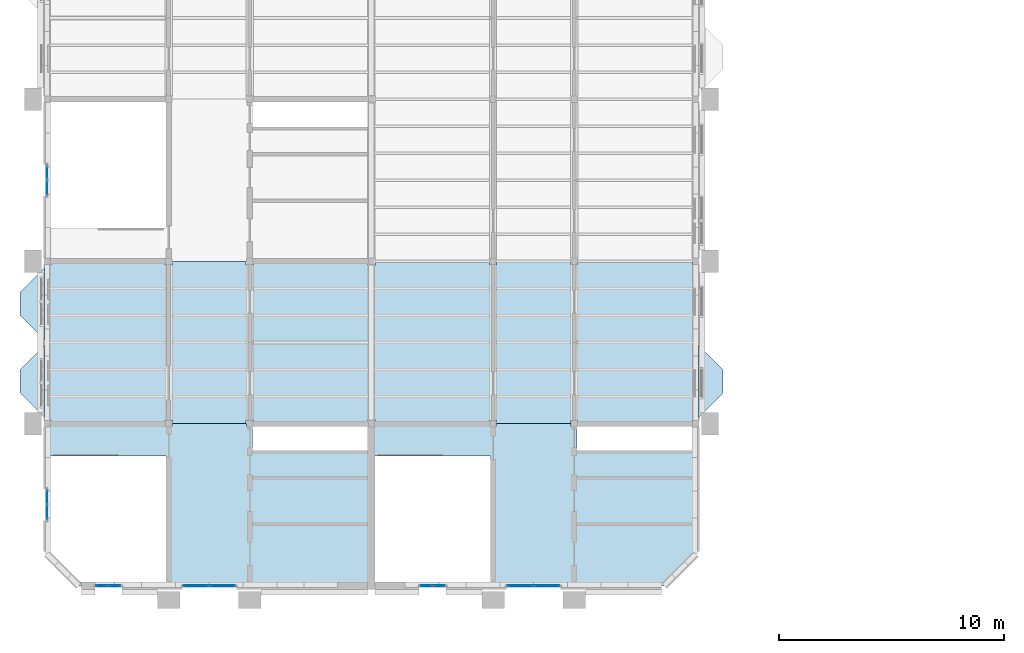
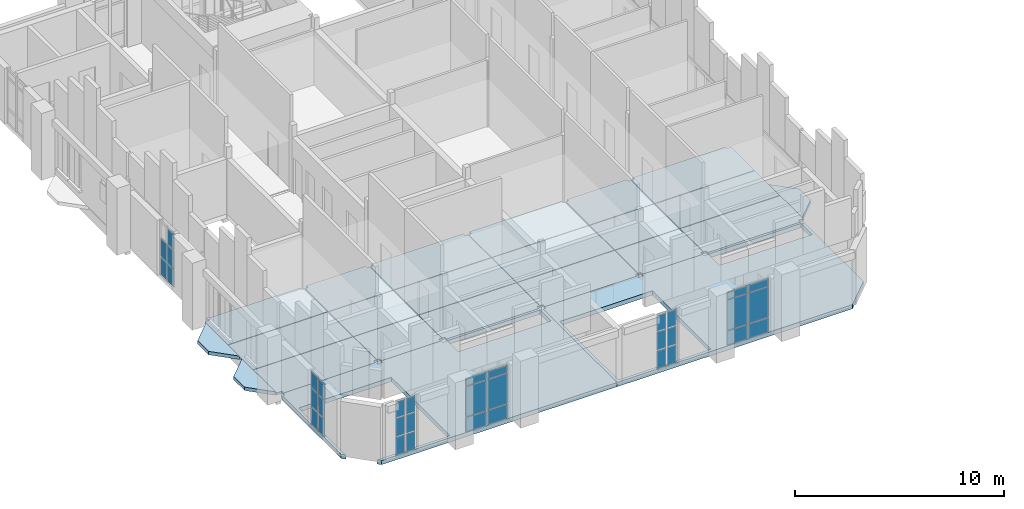
# One storey, part 20 of 51: 35 plates, 23 slabs, 6 elements without a shape of their own.
"""IFC4 building model written with IfcOpenShell, lengths in metres."""

from ifc_helpers import new_model, si_unit, direction, frame, origin, origin_2d, place, context, subcontext, project, spatial, polyline, rectangle, outline, extrude, material, layer, layer_set, type_object, element, aggregate, save


model = new_model("IFC4")

# Units and contexts
model_context = context("Model", 3, precision=1e-05, world=origin(), true_north=direction((0.0, 1.0)))
body_context = subcontext(model_context, "Body", "Model", "MODEL_VIEW")
ifc_project = project(units=[si_unit("LENGTHUNIT", "METRE"), si_unit("AREAUNIT", "SQUARE_METRE"), si_unit("VOLUMEUNIT", "CUBIC_METRE"), si_unit("PLANEANGLEUNIT", "RADIAN"), si_unit("MASSUNIT", "GRAM", prefix="KILO")], contexts=[model_context])

# Site, building, storey
site_placement = place(None, origin())
site = spatial("IfcSite", under=ifc_project, at=site_placement, CompositionType="ELEMENT")
building_placement = place(site_placement, origin())
building = spatial("IfcBuilding", under=site, at=building_placement, Name="Mazhai Court Health Centre", CompositionType="ELEMENT")
storey_placement = place(building_placement, frame((0.0, 0.0, 14.10009765625)))
storey = spatial("IfcBuildingStorey", under=building, at=storey_placement, Name="L03", CompositionType="ELEMENT", Elevation=14.10009765625)

# Slabs
ifc_material_1 = material(Name="CLT C24 5-ply", Category="wood")
ifc_layer_1 = layer(ifc_material_1, 0.1201171875)
ifc_layer_set_1 = layer_set([ifc_layer_1], Name="CLT C24 5-ply 120 floor panel")
slab_type_1 = type_object("IfcSlabType", Name="CLT C24 5-ply 120 floor panel", PredefinedType="FLOOR", material=ifc_layer_set_1)
slab_1_placement = place(storey_placement, frame((0.0, 0.0, -0.1201171875)))
element("IfcSlab", 1, at=slab_1_placement, inside=storey, type_object=slab_type_1, Name="slab-V2-L03-b1-A0", PredefinedType="FLOOR", context=body_context, shape_type="SweptSolid", body=[
    extrude(outline(polyline([(6.080078125, 15.7900390625), (6.080078125, 13.570068359375), (6.3701171875, 13.570068359375), (6.3701171875, 13.39990234375), (11.429931640625, 13.39990234375), (11.429931640625, 13.570068359375), (11.590087890625, 13.570068359375), (11.590087890625, 15.7900390625), (6.080078125, 15.7900390625)])), origin(), (0.0, 0.0, 1.0), 0.1201171875),
])
slab_2_placement = place(storey_placement, frame((0.0, 0.0, -0.1201171875)))
element("IfcSlab", 2, at=slab_2_placement, inside=storey, type_object=slab_type_1, Name="slab-V2-L03-b1-A1", PredefinedType="FLOOR", context=body_context, shape_type="SweptSolid", body=[
    extrude(outline(polyline([(6.080078125, 15.81005859375), (11.590087890625, 15.81005859375), (11.590087890625, 18.18994140625), (6.080078125, 18.18994140625), (6.080078125, 15.81005859375)])), origin(), (0.0, 0.0, 1.0), 0.1201171875),
])
slab_3_placement = place(storey_placement, frame((0.0, 0.0, -0.1201171875)))
element("IfcSlab", 3, at=slab_3_placement, inside=storey, type_object=slab_type_1, Name="slab-V2-L03-b1-A2", PredefinedType="FLOOR", context=body_context, shape_type="SweptSolid", body=[
    extrude(outline(polyline([(11.590087890625, 18.2099609375), (11.590087890625, 20.429931640625), (11.429931640625, 20.429931640625), (11.429931640625, 20.60009765625), (6.3701171875, 20.60009765625), (6.3701171875, 20.429931640625), (6.080078125, 20.429931640625), (6.080078125, 18.2099609375), (11.590087890625, 18.2099609375)])), origin(), (0.0, 0.0, 1.0), 0.1201171875),
])
slab_4_placement = place(storey_placement, frame((0.0, 0.0, -0.1201171875)))
element("IfcSlab", 4, at=slab_4_placement, inside=storey, type_object=slab_type_1, Name="slab-V2-L03-b1-C0", PredefinedType="FLOOR", context=body_context, shape_type="SweptSolid", body=[
    extrude(outline(polyline([(11.610107421875, 15.7900390625), (11.610107421875, 13.570068359375), (11.77001953125, 13.570068359375), (11.77001953125, 13.39990234375), (15.030029296875, 13.39990234375), (15.030029296875, 13.570068359375), (15.18994140625, 13.570068359375), (15.18994140625, 15.7900390625), (11.610107421875, 15.7900390625)])), origin(), (0.0, 0.0, 1.0), 0.1201171875),
])
slab_5_placement = place(storey_placement, frame((0.0, 0.0, -0.1201171875)))
element("IfcSlab", 5, at=slab_5_placement, inside=storey, type_object=slab_type_1, Name="slab-V2-L03-b1-C1", PredefinedType="FLOOR", context=body_context, shape_type="SweptSolid", body=[
    extrude(outline(polyline([(11.610107421875, 15.81005859375), (15.18994140625, 15.81005859375), (15.18994140625, 18.18994140625), (11.610107421875, 18.18994140625), (11.610107421875, 15.81005859375)])), origin(), (0.0, 0.0, 1.0), 0.1201171875),
])
slab_6_placement = place(storey_placement, frame((0.0, 0.0, -0.1201171875)))
element("IfcSlab", 6, at=slab_6_placement, inside=storey, type_object=slab_type_1, Name="slab-V2-L03-b1-C2", PredefinedType="FLOOR", context=body_context, shape_type="SweptSolid", body=[
    extrude(outline(polyline([(15.18994140625, 18.2099609375), (15.18994140625, 20.429931640625), (15.030029296875, 20.429931640625), (15.030029296875, 20.60009765625), (11.77001953125, 20.60009765625), (11.77001953125, 20.429931640625), (11.610107421875, 20.429931640625), (11.610107421875, 18.2099609375), (15.18994140625, 18.2099609375)])), origin(), (0.0, 0.0, 1.0), 0.1201171875),
])
slab_7_placement = place(storey_placement, frame((0.0, 0.0, -0.1201171875)))
element("IfcSlab", 7, at=slab_7_placement, inside=storey, type_object=slab_type_1, Name="slab-V2-L03-b1-B0", PredefinedType="FLOOR", context=body_context, shape_type="SweptSolid", body=[
    extrude(outline(polyline([(15.2099609375, 15.7900390625), (15.2099609375, 13.570068359375), (15.3701171875, 13.570068359375), (15.3701171875, 13.39990234375), (20.429931640625, 13.39990234375), (20.429931640625, 13.570068359375), (20.590087890625, 13.570068359375), (20.590087890625, 15.7900390625), (15.2099609375, 15.7900390625)])), origin(), (0.0, 0.0, 1.0), 0.1201171875),
])
slab_8_placement = place(storey_placement, frame((0.0, 0.0, -0.1201171875)))
element("IfcSlab", 8, at=slab_8_placement, inside=storey, type_object=slab_type_1, Name="slab-V2-L03-b1-B1", PredefinedType="FLOOR", context=body_context, shape_type="SweptSolid", body=[
    extrude(outline(polyline([(15.2099609375, 15.81005859375), (20.590087890625, 15.81005859375), (20.590087890625, 18.18994140625), (15.2099609375, 18.18994140625), (15.2099609375, 15.81005859375)])), origin(), (0.0, 0.0, 1.0), 0.1201171875),
])
slab_9_placement = place(storey_placement, frame((0.0, 0.0, -0.1201171875)))
element("IfcSlab", 9, at=slab_9_placement, inside=storey, type_object=slab_type_1, Name="slab-V2-L03-b1-B2", PredefinedType="FLOOR", context=body_context, shape_type="SweptSolid", body=[
    extrude(outline(polyline([(20.590087890625, 18.2099609375), (20.590087890625, 20.429931640625), (20.429931640625, 20.429931640625), (20.429931640625, 20.60009765625), (15.3701171875, 20.60009765625), (15.3701171875, 20.429931640625), (15.2099609375, 20.429931640625), (15.2099609375, 18.2099609375), (20.590087890625, 18.2099609375)])), origin(), (0.0, 0.0, 1.0), 0.1201171875),
])
slab_10_placement = place(storey_placement, frame((0.0, 0.0, -0.1201171875)))
element("IfcSlab", 10, at=slab_10_placement, inside=storey, type_object=slab_type_1, Name="slab-V5-L03-b1-A0", PredefinedType="FLOOR", context=body_context, shape_type="SweptSolid", body=[
    extrude(outline(polyline([(20.610107421875, 15.7900390625), (20.610107421875, 13.570068359375), (20.77001953125, 13.570068359375), (20.77001953125, 13.39990234375), (25.85009765625, 13.39990234375), (25.85009765625, 13.550048828125), (25.989990234375, 13.550048828125), (25.989990234375, 15.7900390625), (20.610107421875, 15.7900390625)])), origin(), (0.0, 0.0, 1.0), 0.1201171875),
])
slab_11_placement = place(storey_placement, frame((0.0, 0.0, -0.1201171875)))
element("IfcSlab", 11, at=slab_11_placement, inside=storey, type_object=slab_type_1, Name="slab-V5-L03-b1-A1", PredefinedType="FLOOR", context=body_context, shape_type="SweptSolid", body=[
    extrude(outline(polyline([(20.610107421875, 15.81005859375), (25.989990234375, 15.81005859375), (25.989990234375, 18.18994140625), (20.610107421875, 18.18994140625), (20.610107421875, 15.81005859375)])), origin(), (0.0, 0.0, 1.0), 0.1201171875),
])
slab_12_placement = place(storey_placement, frame((0.0, 0.0, -0.1201171875)))
element("IfcSlab", 12, at=slab_12_placement, inside=storey, type_object=slab_type_1, Name="slab-V5-L03-b1-A2", PredefinedType="FLOOR", context=body_context, shape_type="SweptSolid", body=[
    extrude(outline(polyline([(25.989990234375, 18.2099609375), (25.989990234375, 20.449951171875), (25.85009765625, 20.449951171875), (25.85009765625, 20.60009765625), (20.77001953125, 20.60009765625), (20.77001953125, 20.429931640625), (20.610107421875, 20.429931640625), (20.610107421875, 18.2099609375), (25.989990234375, 18.2099609375)])), origin(), (0.0, 0.0, 1.0), 0.1201171875),
])
slab_13_placement = place(storey_placement, frame((0.0, 0.0, -0.1201171875)))
element("IfcSlab", 13, at=slab_13_placement, inside=storey, type_object=slab_type_1, Name="slab-V5-L03-b1-C0", PredefinedType="FLOOR", context=body_context, shape_type="SweptSolid", body=[
    extrude(outline(polyline([(26.010009765625, 15.7900390625), (26.010009765625, 13.550048828125), (26.14990234375, 13.550048828125), (26.14990234375, 13.39990234375), (29.449951171875, 13.39990234375), (29.449951171875, 13.550048828125), (29.590087890625, 13.550048828125), (29.590087890625, 15.7900390625), (26.010009765625, 15.7900390625)])), origin(), (0.0, 0.0, 1.0), 0.1201171875),
])
slab_14_placement = place(storey_placement, frame((0.0, 0.0, -0.1201171875)))
element("IfcSlab", 14, at=slab_14_placement, inside=storey, type_object=slab_type_1, Name="slab-V5-L03-b1-C1", PredefinedType="FLOOR", context=body_context, shape_type="SweptSolid", body=[
    extrude(outline(polyline([(26.010009765625, 15.81005859375), (29.590087890625, 15.81005859375), (29.590087890625, 18.18994140625), (26.010009765625, 18.18994140625), (26.010009765625, 15.81005859375)])), origin(), (0.0, 0.0, 1.0), 0.1201171875),
])
slab_15_placement = place(storey_placement, frame((0.0, 0.0, -0.1201171875)))
element("IfcSlab", 15, at=slab_15_placement, inside=storey, type_object=slab_type_1, Name="slab-V5-L03-b1-C2", PredefinedType="FLOOR", context=body_context, shape_type="SweptSolid", body=[
    extrude(outline(polyline([(29.590087890625, 18.2099609375), (29.590087890625, 20.449951171875), (29.449951171875, 20.449951171875), (29.449951171875, 20.60009765625), (26.14990234375, 20.60009765625), (26.14990234375, 20.449951171875), (26.010009765625, 20.449951171875), (26.010009765625, 18.2099609375), (29.590087890625, 18.2099609375)])), origin(), (0.0, 0.0, 1.0), 0.1201171875),
])
slab_16_placement = place(storey_placement, frame((0.0, 0.0, -0.1201171875)))
element("IfcSlab", 16, at=slab_16_placement, inside=storey, type_object=slab_type_1, Name="slab-V5-L03-b1-B0", PredefinedType="FLOOR", context=body_context, shape_type="SweptSolid", body=[
    extrude(outline(polyline([(29.610107421875, 15.7900390625), (29.610107421875, 13.550048828125), (29.75, 13.550048828125), (29.75, 13.39990234375), (34.85009765625, 13.39990234375), (34.85009765625, 13.550048828125), (35.1201171875, 13.550048828125), (35.1201171875, 15.7900390625), (29.610107421875, 15.7900390625)])), origin(), (0.0, 0.0, 1.0), 0.1201171875),
])
slab_17_placement = place(storey_placement, frame((0.0, 0.0, -0.1201171875)))
element("IfcSlab", 17, at=slab_17_placement, inside=storey, type_object=slab_type_1, Name="slab-V5-L03-b1-B1", PredefinedType="FLOOR", context=body_context, shape_type="SweptSolid", body=[
    extrude(outline(polyline([(29.610107421875, 15.81005859375), (35.1201171875, 15.81005859375), (35.1201171875, 18.18994140625), (29.610107421875, 18.18994140625), (29.610107421875, 15.81005859375)])), origin(), (0.0, 0.0, 1.0), 0.1201171875),
])
slab_18_placement = place(storey_placement, frame((0.0, 0.0, -0.1201171875)))
element("IfcSlab", 18, at=slab_18_placement, inside=storey, type_object=slab_type_1, Name="slab-V5-L03-b1-B2", PredefinedType="FLOOR", context=body_context, shape_type="SweptSolid", body=[
    extrude(outline(polyline([(35.1201171875, 18.2099609375), (35.1201171875, 20.449951171875), (34.85009765625, 20.449951171875), (34.85009765625, 20.60009765625), (29.75, 20.60009765625), (29.75, 20.449951171875), (29.610107421875, 20.449951171875), (29.610107421875, 18.2099609375), (35.1201171875, 18.2099609375)])), origin(), (0.0, 0.0, 1.0), 0.1201171875),
])

# Curtain wall, plates
ifc_material_2 = material(Name="Teak timber frame, glazed", Category="wood")
ifc_layer_2 = layer(ifc_material_2, 0.10009765625)
ifc_layer_set_2 = layer_set([ifc_layer_2], Name="CURTAIN WALL TIMBER 600")
curtain_wall_type_1 = type_object("IfcCurtainWallType", Name="CURTAIN WALL TIMBER 600", PredefinedType="NOTDEFINED", material=ifc_layer_set_2)
curtain_wall_1_placement = place(storey_placement, origin())
curtain_wall_1 = element("IfcCurtainWall", 19, at=curtain_wall_1_placement, inside=storey, type_object=curtain_wall_type_1, Name="CW-V2-L03-A0", PredefinedType="NOTDEFINED")
ifc_material_3 = material(Name="Glass IGU 28 mm", Category="glass")
ifc_layer_3 = layer(ifc_material_3, 0.028076171875)
ifc_layer_set_3 = layer_set([ifc_layer_3], Name="CW PANEL IGU 28")
plate_type = type_object("IfcPlateType", Name="CW PANEL IGU 28", PredefinedType="CURTAIN_PANEL", material=ifc_layer_set_3)
plate_1_placement = place(storey_placement, frame((6.199951171875, 9.465087890625, 0.06005859375), z_axis=(0.0, 0.0, 1.0), x_axis=(0.0, 1.0, 0.0)))
plate_1 = element("IfcPlate", 20, at=plate_1_placement, type_object=plate_type, Name="CW panel 1.1", PredefinedType="CURTAIN_PANEL", context=body_context, shape_type="SweptSolid", body=[
    extrude(rectangle(XDim=0.610107421875, YDim=0.028076171875, at=origin_2d()), origin(), (0.0, 0.0, 1.0), 1.010009765625),
])
plate_2_placement = place(storey_placement, frame((6.199951171875, 9.465087890625, 1.1298828125), z_axis=(0.0, 0.0, 1.0), x_axis=(0.0, 1.0, 0.0)))
plate_2 = element("IfcPlate", 21, at=plate_2_placement, type_object=plate_type, Name="CW panel 1.2", PredefinedType="CURTAIN_PANEL", context=body_context, shape_type="SweptSolid", body=[
    extrude(rectangle(XDim=0.610107421875, YDim=0.028076171875, at=origin_2d()), origin(), (0.0, 0.0, 1.0), 1.0400390625),
])
plate_3_placement = place(storey_placement, frame((6.199951171875, 9.465087890625, 2.22998046875), z_axis=(0.0, 0.0, 1.0), x_axis=(0.0, 1.0, 0.0)))
plate_3 = element("IfcPlate", 22, at=plate_3_placement, type_object=plate_type, Name="CW panel 1.3", PredefinedType="CURTAIN_PANEL", context=body_context, shape_type="SweptSolid", body=[
    extrude(rectangle(XDim=0.610107421875, YDim=0.028076171875, at=origin_2d()), origin(), (0.0, 0.0, 1.0), 0.909912109375),
])
plate_4_placement = place(storey_placement, frame((6.199951171875, 10.135009765625, 0.06005859375), z_axis=(0.0, 0.0, 1.0), x_axis=(0.0, 1.0, 0.0)))
plate_4 = element("IfcPlate", 23, at=plate_4_placement, type_object=plate_type, Name="CW panel 2.1", PredefinedType="CURTAIN_PANEL", context=body_context, shape_type="SweptSolid", body=[
    extrude(rectangle(XDim=0.610107421875, YDim=0.028076171875, at=origin_2d()), origin(), (0.0, 0.0, 1.0), 1.010009765625),
])
plate_5_placement = place(storey_placement, frame((6.199951171875, 10.135009765625, 1.1298828125), z_axis=(0.0, 0.0, 1.0), x_axis=(0.0, 1.0, 0.0)))
plate_5 = element("IfcPlate", 24, at=plate_5_placement, type_object=plate_type, Name="CW panel 2.2", PredefinedType="CURTAIN_PANEL", context=body_context, shape_type="SweptSolid", body=[
    extrude(rectangle(XDim=0.610107421875, YDim=0.028076171875, at=origin_2d()), origin(), (0.0, 0.0, 1.0), 1.0400390625),
])
plate_6_placement = place(storey_placement, frame((6.199951171875, 10.135009765625, 2.22998046875), z_axis=(0.0, 0.0, 1.0), x_axis=(0.0, 1.0, 0.0)))
plate_6 = element("IfcPlate", 25, at=plate_6_placement, type_object=plate_type, Name="CW panel 2.3", PredefinedType="CURTAIN_PANEL", context=body_context, shape_type="SweptSolid", body=[
    extrude(rectangle(XDim=0.610107421875, YDim=0.028076171875, at=origin_2d()), origin(), (0.0, 0.0, 1.0), 0.909912109375),
])
aggregate(curtain_wall_1, [plate_1, plate_2, plate_3, plate_4, plate_5, plate_6])

curtain_wall_2_placement = place(storey_placement, origin())
curtain_wall_2 = element("IfcCurtainWall", 26, at=curtain_wall_2_placement, inside=storey, type_object=curtain_wall_type_1, Name="CW-V2-L03-A2", PredefinedType="NOTDEFINED")
plate_7_placement = place(storey_placement, frame((6.199951171875, 23.864990234375, 0.06005859375), z_axis=(0.0, 0.0, 1.0), x_axis=(0.0, 1.0, 0.0)))
plate_7 = element("IfcPlate", 27, at=plate_7_placement, type_object=plate_type, Name="CW panel 1.1", PredefinedType="CURTAIN_PANEL", context=body_context, shape_type="SweptSolid", body=[
    extrude(rectangle(XDim=0.610107421875, YDim=0.028076171875, at=origin_2d()), origin(), (0.0, 0.0, 1.0), 1.010009765625),
])
plate_8_placement = place(storey_placement, frame((6.199951171875, 23.864990234375, 1.1298828125), z_axis=(0.0, 0.0, 1.0), x_axis=(0.0, 1.0, 0.0)))
plate_8 = element("IfcPlate", 28, at=plate_8_placement, type_object=plate_type, Name="CW panel 1.2", PredefinedType="CURTAIN_PANEL", context=body_context, shape_type="SweptSolid", body=[
    extrude(rectangle(XDim=0.610107421875, YDim=0.028076171875, at=origin_2d()), origin(), (0.0, 0.0, 1.0), 1.0400390625),
])
plate_9_placement = place(storey_placement, frame((6.199951171875, 23.864990234375, 2.22998046875), z_axis=(0.0, 0.0, 1.0), x_axis=(0.0, 1.0, 0.0)))
plate_9 = element("IfcPlate", 29, at=plate_9_placement, type_object=plate_type, Name="CW panel 1.3", PredefinedType="CURTAIN_PANEL", context=body_context, shape_type="SweptSolid", body=[
    extrude(rectangle(XDim=0.610107421875, YDim=0.028076171875, at=origin_2d()), origin(), (0.0, 0.0, 1.0), 0.909912109375),
])
plate_10_placement = place(storey_placement, frame((6.199951171875, 24.534912109375, 0.06005859375), z_axis=(0.0, 0.0, 1.0), x_axis=(0.0, 1.0, 0.0)))
plate_10 = element("IfcPlate", 30, at=plate_10_placement, type_object=plate_type, Name="CW panel 2.1", PredefinedType="CURTAIN_PANEL", context=body_context, shape_type="SweptSolid", body=[
    extrude(rectangle(XDim=0.610107421875, YDim=0.028076171875, at=origin_2d()), origin(), (0.0, 0.0, 1.0), 1.010009765625),
])
plate_11_placement = place(storey_placement, frame((6.199951171875, 24.534912109375, 1.1298828125), z_axis=(0.0, 0.0, 1.0), x_axis=(0.0, 1.0, 0.0)))
plate_11 = element("IfcPlate", 31, at=plate_11_placement, type_object=plate_type, Name="CW panel 2.2", PredefinedType="CURTAIN_PANEL", context=body_context, shape_type="SweptSolid", body=[
    extrude(rectangle(XDim=0.610107421875, YDim=0.028076171875, at=origin_2d()), origin(), (0.0, 0.0, 1.0), 1.0400390625),
])
aggregate(curtain_wall_2, [plate_7, plate_8, plate_9, plate_10, plate_11])

curtain_wall_3_placement = place(storey_placement, origin())
curtain_wall_3 = element("IfcCurtainWall", 32, at=curtain_wall_3_placement, inside=storey, type_object=curtain_wall_type_1, Name="CW-V2-L03-SSTAIR0", PredefinedType="NOTDEFINED")
plate_12_placement = place(storey_placement, frame((9.205078125, 6.199951171875, 0.06005859375), z_axis=(0.0, 0.0, 1.0), x_axis=(-1.0, 0.0, 0.0)))
plate_12 = element("IfcPlate", 33, at=plate_12_placement, type_object=plate_type, Name="CW panel 1.1", PredefinedType="CURTAIN_PANEL", context=body_context, shape_type="SweptSolid", body=[
    extrude(rectangle(XDim=0.510009765625, YDim=0.028076171875, at=origin_2d()), origin(), (0.0, 0.0, 1.0), 1.010009765625),
])
plate_13_placement = place(storey_placement, frame((9.205078125, 6.199951171875, 1.1298828125), z_axis=(0.0, 0.0, 1.0), x_axis=(-1.0, 0.0, 0.0)))
plate_13 = element("IfcPlate", 34, at=plate_13_placement, type_object=plate_type, Name="CW panel 1.2", PredefinedType="CURTAIN_PANEL", context=body_context, shape_type="SweptSolid", body=[
    extrude(rectangle(XDim=0.510009765625, YDim=0.028076171875, at=origin_2d()), origin(), (0.0, 0.0, 1.0), 1.0400390625),
])
plate_14_placement = place(storey_placement, frame((9.205078125, 6.199951171875, 2.22998046875), z_axis=(0.0, 0.0, 1.0), x_axis=(-1.0, 0.0, 0.0)))
plate_14 = element("IfcPlate", 35, at=plate_14_placement, type_object=plate_type, Name="CW panel 1.3", PredefinedType="CURTAIN_PANEL", context=body_context, shape_type="SweptSolid", body=[
    extrude(rectangle(XDim=0.510009765625, YDim=0.028076171875, at=origin_2d()), origin(), (0.0, 0.0, 1.0), 0.909912109375),
])
plate_15_placement = place(storey_placement, frame((8.635009765625, 6.199951171875, 0.06005859375), z_axis=(0.0, 0.0, 1.0), x_axis=(-1.0, 0.0, 0.0)))
plate_15 = element("IfcPlate", 36, at=plate_15_placement, type_object=plate_type, Name="CW panel 2.1", PredefinedType="CURTAIN_PANEL", context=body_context, shape_type="SweptSolid", body=[
    extrude(rectangle(XDim=0.510009765625, YDim=0.028076171875, at=origin_2d()), origin(), (0.0, 0.0, 1.0), 1.010009765625),
])
plate_16_placement = place(storey_placement, frame((8.635009765625, 6.199951171875, 1.1298828125), z_axis=(0.0, 0.0, 1.0), x_axis=(-1.0, 0.0, 0.0)))
plate_16 = element("IfcPlate", 37, at=plate_16_placement, type_object=plate_type, Name="CW panel 2.2", PredefinedType="CURTAIN_PANEL", context=body_context, shape_type="SweptSolid", body=[
    extrude(rectangle(XDim=0.510009765625, YDim=0.028076171875, at=origin_2d()), origin(), (0.0, 0.0, 1.0), 1.0400390625),
])
plate_17_placement = place(storey_placement, frame((8.635009765625, 6.199951171875, 2.22998046875), z_axis=(0.0, 0.0, 1.0), x_axis=(-1.0, 0.0, 0.0)))
plate_17 = element("IfcPlate", 38, at=plate_17_placement, type_object=plate_type, Name="CW panel 2.3", PredefinedType="CURTAIN_PANEL", context=body_context, shape_type="SweptSolid", body=[
    extrude(rectangle(XDim=0.510009765625, YDim=0.028076171875, at=origin_2d()), origin(), (0.0, 0.0, 1.0), 0.909912109375),
])
aggregate(curtain_wall_3, [plate_12, plate_13, plate_14, plate_15, plate_16, plate_17])

ifc_material_4 = material(Name="Teak timber frame, glazed", Category="wood")
ifc_layer_4 = layer(ifc_material_4, 0.10009765625)
ifc_layer_set_4 = layer_set([ifc_layer_4], Name="CURTAIN WALL TIMBER 1200")
curtain_wall_type_2 = type_object("IfcCurtainWallType", Name="CURTAIN WALL TIMBER 1200", PredefinedType="NOTDEFINED", material=ifc_layer_set_4)
curtain_wall_4_placement = place(storey_placement, origin())
curtain_wall_4 = element("IfcCurtainWall", 39, at=curtain_wall_4_placement, inside=storey, type_object=curtain_wall_type_2, Name="CW-V2-L03-SEND1", PredefinedType="NOTDEFINED")
plate_18_placement = place(storey_placement, frame((13.985107421875, 6.199951171875, 0.059814453125), z_axis=(0.0, 0.0, 1.0), x_axis=(-1.0, 0.0, 0.0)))
plate_18 = element("IfcPlate", 40, at=plate_18_placement, type_object=plate_type, Name="CW panel 1.1", PredefinedType="CURTAIN_PANEL", context=body_context, shape_type="SweptSolid", body=[
    extrude(rectangle(XDim=1.110107421875, YDim=0.028076171875, at=origin_2d()), origin(), (0.0, 0.0, 1.0), 0.81005859375),
])
plate_19_placement = place(storey_placement, frame((13.985107421875, 6.199951171875, 0.9296875), z_axis=(0.0, 0.0, 1.0), x_axis=(-1.0, 0.0, 0.0)))
plate_19 = element("IfcPlate", 41, at=plate_19_placement, type_object=plate_type, Name="CW panel 1.2", PredefinedType="CURTAIN_PANEL", context=body_context, shape_type="SweptSolid", body=[
    extrude(rectangle(XDim=1.110107421875, YDim=0.028076171875, at=origin_2d()), origin(), (0.0, 0.0, 1.0), 1.739990234375),
])
plate_20_placement = place(storey_placement, frame((13.985107421875, 6.199951171875, 2.72998046875), z_axis=(0.0, 0.0, 1.0), x_axis=(-1.0, 0.0, 0.0)))
plate_20 = element("IfcPlate", 42, at=plate_20_placement, type_object=plate_type, Name="CW panel 1.3", PredefinedType="CURTAIN_PANEL", context=body_context, shape_type="SweptSolid", body=[
    extrude(rectangle(XDim=1.110107421875, YDim=0.028076171875, at=origin_2d()), origin(), (0.0, 0.0, 1.0), 0.409912109375),
])
plate_21_placement = place(storey_placement, frame((12.81494140625, 6.199951171875, 0.059814453125), z_axis=(0.0, 0.0, 1.0), x_axis=(-1.0, 0.0, 0.0)))
plate_21 = element("IfcPlate", 43, at=plate_21_placement, type_object=plate_type, Name="CW panel 2.1", PredefinedType="CURTAIN_PANEL", context=body_context, shape_type="SweptSolid", body=[
    extrude(rectangle(XDim=1.110107421875, YDim=0.028076171875, at=origin_2d()), origin(), (0.0, 0.0, 1.0), 0.81005859375),
])
plate_22_placement = place(storey_placement, frame((12.81494140625, 6.199951171875, 0.9296875), z_axis=(0.0, 0.0, 1.0), x_axis=(-1.0, 0.0, 0.0)))
plate_22 = element("IfcPlate", 44, at=plate_22_placement, type_object=plate_type, Name="CW panel 2.2", PredefinedType="CURTAIN_PANEL", context=body_context, shape_type="SweptSolid", body=[
    extrude(rectangle(XDim=1.110107421875, YDim=0.028076171875, at=origin_2d()), origin(), (0.0, 0.0, 1.0), 1.739990234375),
])
plate_23_placement = place(storey_placement, frame((12.81494140625, 6.199951171875, 2.72998046875), z_axis=(0.0, 0.0, 1.0), x_axis=(-1.0, 0.0, 0.0)))
plate_23 = element("IfcPlate", 45, at=plate_23_placement, type_object=plate_type, Name="CW panel 2.3", PredefinedType="CURTAIN_PANEL", context=body_context, shape_type="SweptSolid", body=[
    extrude(rectangle(XDim=1.110107421875, YDim=0.028076171875, at=origin_2d()), origin(), (0.0, 0.0, 1.0), 0.409912109375),
])
aggregate(curtain_wall_4, [plate_18, plate_19, plate_20, plate_21, plate_22, plate_23])

curtain_wall_5_placement = place(storey_placement, origin())
curtain_wall_5 = element("IfcCurtainWall", 46, at=curtain_wall_5_placement, inside=storey, type_object=curtain_wall_type_1, Name="CW-V5-L03-SSTAIR0", PredefinedType="NOTDEFINED")
plate_24_placement = place(storey_placement, frame((23.60498046875, 6.199951171875, 0.06005859375), z_axis=(0.0, 0.0, 1.0), x_axis=(-1.0, 0.0, 0.0)))
plate_24 = element("IfcPlate", 47, at=plate_24_placement, type_object=plate_type, Name="CW panel 1.1", PredefinedType="CURTAIN_PANEL", context=body_context, shape_type="SweptSolid", body=[
    extrude(rectangle(XDim=0.510009765625, YDim=0.028076171875, at=origin_2d()), origin(), (0.0, 0.0, 1.0), 1.010009765625),
])
plate_25_placement = place(storey_placement, frame((23.60498046875, 6.199951171875, 1.1298828125), z_axis=(0.0, 0.0, 1.0), x_axis=(-1.0, 0.0, 0.0)))
plate_25 = element("IfcPlate", 48, at=plate_25_placement, type_object=plate_type, Name="CW panel 1.2", PredefinedType="CURTAIN_PANEL", context=body_context, shape_type="SweptSolid", body=[
    extrude(rectangle(XDim=0.510009765625, YDim=0.028076171875, at=origin_2d()), origin(), (0.0, 0.0, 1.0), 1.0400390625),
])
plate_26_placement = place(storey_placement, frame((23.60498046875, 6.199951171875, 2.22998046875), z_axis=(0.0, 0.0, 1.0), x_axis=(-1.0, 0.0, 0.0)))
plate_26 = element("IfcPlate", 49, at=plate_26_placement, type_object=plate_type, Name="CW panel 1.3", PredefinedType="CURTAIN_PANEL", context=body_context, shape_type="SweptSolid", body=[
    extrude(rectangle(XDim=0.510009765625, YDim=0.028076171875, at=origin_2d()), origin(), (0.0, 0.0, 1.0), 0.909912109375),
])
plate_27_placement = place(storey_placement, frame((23.034912109375, 6.199951171875, 0.06005859375), z_axis=(0.0, 0.0, 1.0), x_axis=(-1.0, 0.0, 0.0)))
plate_27 = element("IfcPlate", 50, at=plate_27_placement, type_object=plate_type, Name="CW panel 2.1", PredefinedType="CURTAIN_PANEL", context=body_context, shape_type="SweptSolid", body=[
    extrude(rectangle(XDim=0.510009765625, YDim=0.028076171875, at=origin_2d()), origin(), (0.0, 0.0, 1.0), 1.010009765625),
])
plate_28_placement = place(storey_placement, frame((23.034912109375, 6.199951171875, 1.1298828125), z_axis=(0.0, 0.0, 1.0), x_axis=(-1.0, 0.0, 0.0)))
plate_28 = element("IfcPlate", 51, at=plate_28_placement, type_object=plate_type, Name="CW panel 2.2", PredefinedType="CURTAIN_PANEL", context=body_context, shape_type="SweptSolid", body=[
    extrude(rectangle(XDim=0.510009765625, YDim=0.028076171875, at=origin_2d()), origin(), (0.0, 0.0, 1.0), 1.0400390625),
])
plate_29_placement = place(storey_placement, frame((23.034912109375, 6.199951171875, 2.22998046875), z_axis=(0.0, 0.0, 1.0), x_axis=(-1.0, 0.0, 0.0)))
plate_29 = element("IfcPlate", 52, at=plate_29_placement, type_object=plate_type, Name="CW panel 2.3", PredefinedType="CURTAIN_PANEL", context=body_context, shape_type="SweptSolid", body=[
    extrude(rectangle(XDim=0.510009765625, YDim=0.028076171875, at=origin_2d()), origin(), (0.0, 0.0, 1.0), 0.909912109375),
])
aggregate(curtain_wall_5, [plate_24, plate_25, plate_26, plate_27, plate_28, plate_29])

curtain_wall_6_placement = place(storey_placement, origin())
curtain_wall_6 = element("IfcCurtainWall", 53, at=curtain_wall_6_placement, inside=storey, type_object=curtain_wall_type_2, Name="CW-V5-L03-SEND1", PredefinedType="NOTDEFINED")
plate_30_placement = place(storey_placement, frame((28.385009765625, 6.199951171875, 0.059814453125), z_axis=(0.0, 0.0, 1.0), x_axis=(-1.0, 0.0, 0.0)))
plate_30 = element("IfcPlate", 54, at=plate_30_placement, type_object=plate_type, Name="CW panel 1.1", PredefinedType="CURTAIN_PANEL", context=body_context, shape_type="SweptSolid", body=[
    extrude(rectangle(XDim=1.110107421875, YDim=0.028076171875, at=origin_2d()), origin(), (0.0, 0.0, 1.0), 0.81005859375),
])
plate_31_placement = place(storey_placement, frame((28.385009765625, 6.199951171875, 0.9296875), z_axis=(0.0, 0.0, 1.0), x_axis=(-1.0, 0.0, 0.0)))
plate_31 = element("IfcPlate", 55, at=plate_31_placement, type_object=plate_type, Name="CW panel 1.2", PredefinedType="CURTAIN_PANEL", context=body_context, shape_type="SweptSolid", body=[
    extrude(rectangle(XDim=1.110107421875, YDim=0.028076171875, at=origin_2d()), origin(), (0.0, 0.0, 1.0), 1.739990234375),
])
plate_32_placement = place(storey_placement, frame((28.385009765625, 6.199951171875, 2.72998046875), z_axis=(0.0, 0.0, 1.0), x_axis=(-1.0, 0.0, 0.0)))
plate_32 = element("IfcPlate", 56, at=plate_32_placement, type_object=plate_type, Name="CW panel 1.3", PredefinedType="CURTAIN_PANEL", context=body_context, shape_type="SweptSolid", body=[
    extrude(rectangle(XDim=1.110107421875, YDim=0.028076171875, at=origin_2d()), origin(), (0.0, 0.0, 1.0), 0.409912109375),
])
plate_33_placement = place(storey_placement, frame((27.215087890625, 6.199951171875, 0.059814453125), z_axis=(0.0, 0.0, 1.0), x_axis=(-1.0, 0.0, 0.0)))
plate_33 = element("IfcPlate", 57, at=plate_33_placement, type_object=plate_type, Name="CW panel 2.1", PredefinedType="CURTAIN_PANEL", context=body_context, shape_type="SweptSolid", body=[
    extrude(rectangle(XDim=1.110107421875, YDim=0.028076171875, at=origin_2d()), origin(), (0.0, 0.0, 1.0), 0.81005859375),
])
plate_34_placement = place(storey_placement, frame((27.215087890625, 6.199951171875, 0.9296875), z_axis=(0.0, 0.0, 1.0), x_axis=(-1.0, 0.0, 0.0)))
plate_34 = element("IfcPlate", 58, at=plate_34_placement, type_object=plate_type, Name="CW panel 2.2", PredefinedType="CURTAIN_PANEL", context=body_context, shape_type="SweptSolid", body=[
    extrude(rectangle(XDim=1.110107421875, YDim=0.028076171875, at=origin_2d()), origin(), (0.0, 0.0, 1.0), 1.739990234375),
])
plate_35_placement = place(storey_placement, frame((27.215087890625, 6.199951171875, 2.72998046875), z_axis=(0.0, 0.0, 1.0), x_axis=(-1.0, 0.0, 0.0)))
plate_35 = element("IfcPlate", 59, at=plate_35_placement, type_object=plate_type, Name="CW panel 2.3", PredefinedType="CURTAIN_PANEL", context=body_context, shape_type="SweptSolid", body=[
    extrude(rectangle(XDim=1.110107421875, YDim=0.028076171875, at=origin_2d()), origin(), (0.0, 0.0, 1.0), 0.409912109375),
])
aggregate(curtain_wall_6, [plate_30, plate_31, plate_32, plate_33, plate_34, plate_35])

# Slabs
ifc_material_5 = material(Name="Concrete M30", Category="concrete")
ifc_layer_5 = layer(ifc_material_5, 0.199951171875)
ifc_layer_set_5 = layer_set([ifc_layer_5], Name="ORIEL ROOF 200")
slab_type_2 = type_object("IfcSlabType", Name="ORIEL ROOF 200", PredefinedType="ROOF", material=ifc_layer_set_5)
slab_19_placement = place(storey_placement, frame((0.0, 0.0, -0.2001953125)))
element("IfcSlab", 60, at=slab_19_placement, inside=storey, type_object=slab_type_2, Name="OR-V2-L02-A10", PredefinedType="ROOF", context=body_context, shape_type="SweptSolid", body=[
    extrude(outline(polyline([(6.080078125, 13.679931640625), (5.0, 14.760009765625), (5.0, 15.800048828125), (6.080078125, 16.8798828125), (6.080078125, 13.679931640625)])), origin(), (0.0, 0.0, 1.0), 0.2001953125),
])
slab_20_placement = place(storey_placement, frame((0.0, 0.0, -0.2001953125)))
element("IfcSlab", 61, at=slab_20_placement, inside=storey, type_object=slab_type_2, Name="OR-V2-L02-A11", PredefinedType="ROOF", context=body_context, shape_type="SweptSolid", body=[
    extrude(outline(polyline([(6.080078125, 17.1201171875), (5.0, 18.199951171875), (5.0, 19.239990234375), (6.080078125, 20.320068359375), (6.080078125, 17.1201171875)])), origin(), (0.0, 0.0, 1.0), 0.2001953125),
])
slab_21_placement = place(storey_placement, frame((0.0, 0.0, -0.2001953125)))
element("IfcSlab", 62, at=slab_21_placement, inside=storey, type_object=slab_type_2, Name="OR-V5-L02-B10", PredefinedType="ROOF", context=body_context, shape_type="SweptSolid", body=[
    extrude(outline(polyline([(35.1201171875, 13.659912109375), (36.199951171875, 14.739990234375), (36.199951171875, 15.800048828125), (35.1201171875, 16.8798828125), (35.1201171875, 13.659912109375)])), origin(), (0.0, 0.0, 1.0), 0.2001953125),
])
ifc_material_6 = material(Name="Concrete M40", Category="concrete")
ifc_layer_6 = layer(ifc_material_6, 0.25)
ifc_layer_set_6 = layer_set([ifc_layer_6], Name="RC CORE FLOOR 250 M40")
slab_type_3 = type_object("IfcSlabType", Name="RC CORE FLOOR 250 M40", PredefinedType="FLOOR", material=ifc_layer_set_6)
slab_22_placement = place(storey_placement, frame((0.0, 0.0, -0.25)))
element("IfcSlab", 63, at=slab_22_placement, inside=storey, type_object=slab_type_3, Name="core-C1-floor-L03", PredefinedType="FLOOR", context=body_context, shape_type="SweptSolid", body=[
    extrude(outline(polyline([(6.340087890625, 13.39990234375), (11.4599609375, 13.39990234375), (11.4599609375, 13.260009765625), (11.739990234375, 13.260009765625), (11.739990234375, 13.39990234375), (15.06005859375, 13.39990234375), (15.06005859375, 13.260009765625), (15.324951171875, 13.260009765625), (15.324951171875, 12.215087890625), (20.43505859375, 12.215087890625), (20.43505859375, 13.27490234375), (15.340087890625, 13.27490234375), (15.340087890625, 13.39990234375), (20.4599609375, 13.39990234375), (20.4599609375, 13.260009765625), (20.60009765625, 13.260009765625), (20.60009765625, 6.199951171875), (7.6142578125, 6.199951171875), (7.44921875, 6.364990234375), (11.47509765625, 6.364990234375), (11.47509765625, 11.96337890625), (6.364990234375, 11.96337890625), (6.364990234375, 7.44921875), (6.199951171875, 7.6142578125), (6.199951171875, 13.260009765625), (6.340087890625, 13.260009765625), (6.340087890625, 13.39990234375)])), origin(), (0.0, 0.0, 1.0), 0.25),
])
slab_23_placement = place(storey_placement, frame((0.0, 0.0, -0.25)))
element("IfcSlab", 64, at=slab_23_placement, inside=storey, type_object=slab_type_3, Name="core-C4-floor-L03", PredefinedType="FLOOR", context=body_context, shape_type="SweptSolid", body=[
    extrude(outline(polyline([(20.739990234375, 13.39990234375), (25.860107421875, 13.39990234375), (25.860107421875, 13.260009765625), (26.139892578125, 13.260009765625), (26.139892578125, 13.39990234375), (29.4599609375, 13.39990234375), (29.4599609375, 13.260009765625), (29.72509765625, 13.260009765625), (29.72509765625, 12.215087890625), (34.8349609375, 12.215087890625), (34.8349609375, 13.27490234375), (29.739990234375, 13.27490234375), (29.739990234375, 13.39990234375), (34.860107421875, 13.39990234375), (34.860107421875, 13.260009765625), (35.0, 13.260009765625), (35.0, 7.6142578125), (33.585693359375, 6.199951171875), (20.60009765625, 6.199951171875), (20.60009765625, 13.260009765625), (20.739990234375, 13.260009765625), (20.739990234375, 13.39990234375)]), holes=[polyline([(25.875, 11.96337890625), (20.764892578125, 11.96337890625), (20.764892578125, 6.364990234375), (25.875, 6.364990234375), (25.875, 11.96337890625)])]), origin(), (0.0, 0.0, 1.0), 0.25),
])

save(model, "model.ifc")
